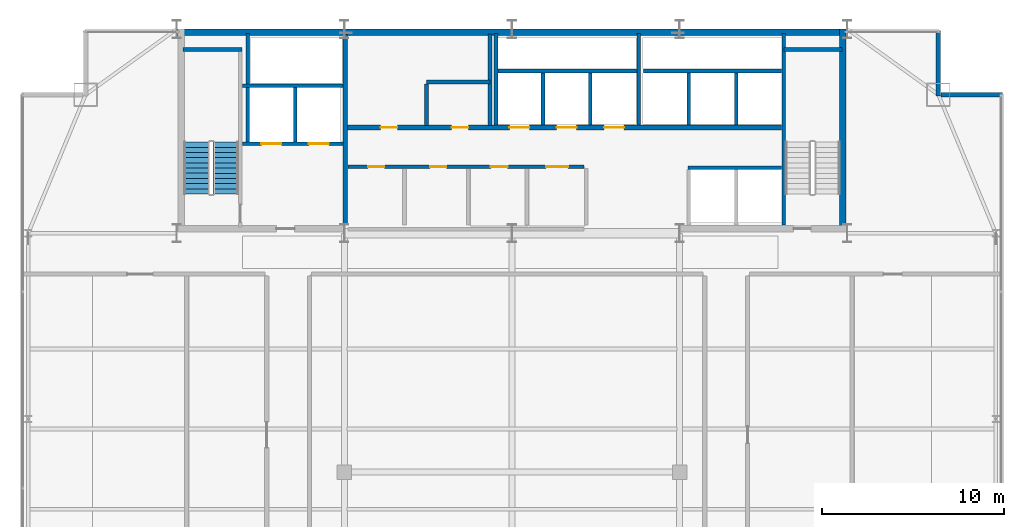
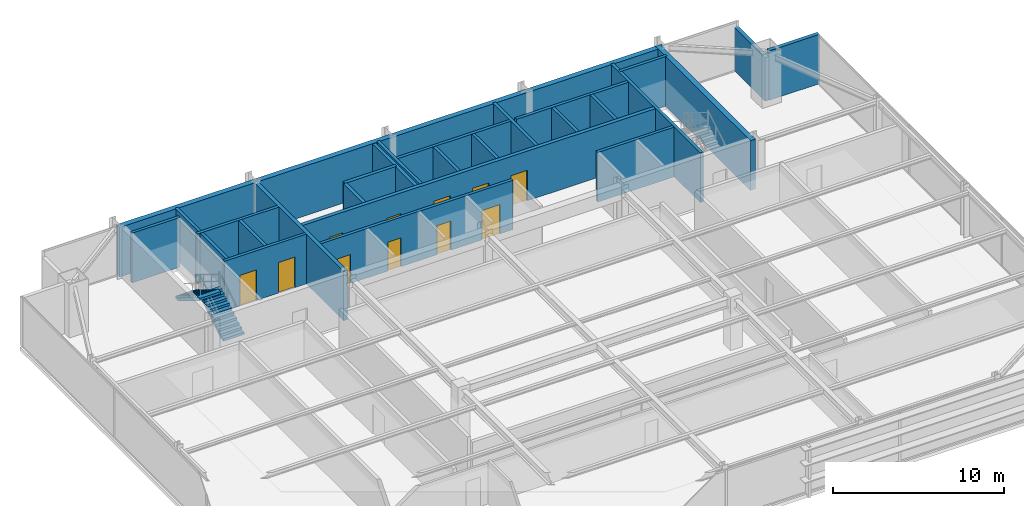
# One storey, part 26 of 29: 26 walls, 11 doors, 2 stair flights, 11 openings, 1 element without a shape of its own.
"""IFC4 building model written with IfcOpenShell, lengths in metres."""

from ifc_helpers import new_model, si_unit, direction, frame, frame_2d, origin, place, context, subcontext, project, spatial, polyline, rectangle, outline, extrude, source, transform, mapped, material, layer, layer_set, type_object, type_shapes, element, fill, aggregate, save


model = new_model("IFC4")

# Units and contexts
model_context = context("Model", 3, precision=1e-05, world=origin(), true_north=direction((0.0, 1.0)))
body_context = subcontext(model_context, "Body", "Model", "MODEL_VIEW")
ifc_project = project(units=[si_unit("LENGTHUNIT", "METRE"), si_unit("AREAUNIT", "SQUARE_METRE"), si_unit("VOLUMEUNIT", "CUBIC_METRE"), si_unit("PLANEANGLEUNIT", "RADIAN"), si_unit("MASSUNIT", "GRAM", prefix="KILO")], contexts=[model_context])

# Site, building, storey
site_placement = place(None, origin())
site = spatial("IfcSite", under=ifc_project, at=site_placement, CompositionType="ELEMENT")
building_placement = place(site_placement, origin())
building = spatial("IfcBuilding", under=site, at=building_placement, Name="Varnel Quay Broadcast Tower", CompositionType="ELEMENT")
storey_placement = place(building_placement, frame((0.0, 0.0, 172.39990234375)))
storey = spatial("IfcBuildingStorey", under=building, at=storey_placement, Name="L42", CompositionType="ELEMENT", Elevation=172.39990234375)

# Wall
ifc_material_1 = material(Name="Concrete CSA A23.3 C50/60", Category="concrete")
ifc_layer_1 = layer(ifc_material_1, 0.199951171875, Name="Concrete CSA A23.3 C50/60")
ifc_layer_set_1 = layer_set([ifc_layer_1], Name="Concrete CSA A23.3 C50/60")
wall_type_1 = type_object("IfcWallType", Name="Wall_CoreShaftShear200", PredefinedType="SHEAR", material=ifc_layer_set_1)
wall_1_placement = place(storey_placement, frame((15.949951171875, 45.679931640625, 0.0), z_axis=(0.0, 0.0, 1.0), x_axis=(1.0, 0.0, 0.0)))
element("IfcWall", 1, at=wall_1_placement, inside=storey, type_object=wall_type_1, Name="L42 Stair 1 North Structural Wall", PredefinedType="SHEAR", context=body_context, shape_type="SweptSolid", body=[
    extrude(rectangle(XDim=3.22998046875, YDim=0.199951171875, at=frame_2d((1.614990234375, 0.0))), origin(), (0.0, 0.0, 1.0), 3.550048828125),
])

# Wall, openings, doors
wall_2_placement = place(storey_placement, frame((19.199951171875, 40.5, 0.0), z_axis=(0.0, 0.0, 1.0), x_axis=(1.0, 0.0, 0.0)))
wall_2 = element("IfcWall", 2, at=wall_2_placement, inside=storey, type_object=wall_type_1, Name="L42 Firefighter Lift Shaft Front Wall", PredefinedType="SHEAR", context=body_context, shape_type="SweptSolid", body=[
    extrude(rectangle(XDim=5.52001953125, YDim=0.199951171875, at=frame_2d((2.760009765625, 0.0))), origin(), (0.0, 0.0, 1.0), 3.550048828125),
])
opening_1_placement = place(wall_2_placement, frame((1.050048828125, 0.0, 0.0)))
opening_1 = element("IfcOpeningElement", 3, at=opening_1_placement, cuts=wall_2, Name="Opening LD-L42-FE1", PredefinedType="OPENING", context=body_context, shape_type="SweptSolid", body=[
    extrude(rectangle(XDim=1.10009765625, YDim=2.179931640625, at=frame_2d((0.550048828125, 1.08984375))), frame((0.0, 0.10986328125, 0.0), z_axis=(0.0, -1.0, 0.0), x_axis=(1.0, 0.0, 0.0)), (0.0, 0.0, 1.0), 0.219970703125),
])
opening_2_placement = place(wall_2_placement, frame((3.64990234375, 0.0, 0.0)))
opening_2 = element("IfcOpeningElement", 4, at=opening_2_placement, cuts=wall_2, Name="Opening LD-L42-FE2", PredefinedType="OPENING", context=body_context, shape_type="SweptSolid", body=[
    extrude(rectangle(XDim=1.10009765625, YDim=2.179931640625, at=frame_2d((0.550048828125, 1.08984375))), frame((0.0, 0.10986328125, 0.0), z_axis=(0.0, -1.0, 0.0), x_axis=(1.0, 0.0, 0.0)), (0.0, 0.0, 1.0), 0.219970703125),
])
ifc_material_2 = material(Name="Brushed Bronze-Stainless Lift Car & Sliding Doors", Category="steel")
door_type_1 = type_object("IfcDoorType", Name="Door_LiftLanding1100", OperationType="SLIDING_TO_LEFT", PredefinedType="DOOR", material=ifc_material_2)
shared_shape_1 = source(origin(), body_context, "Body", "SweptSolid", [
    extrude(rectangle(XDim=1.10009765625, YDim=2.179931640625, at=frame_2d((0.550048828125, 1.08984375))), frame((0.0, 0.02490234375, 0.0), z_axis=(0.0, -1.0, 0.0), x_axis=(1.0, 0.0, 0.0)), (0.0, 0.0, 1.0), 0.050048828125),
])
type_shapes(door_type_1, [shared_shape_1])
door_1_placement = place(opening_1_placement, frame((1.10009765625, 0.0, 0.0), z_axis=(0.0, 0.0, 1.0), x_axis=(-1.0, 0.0, 0.0)))
door_1 = element("IfcDoor", 5, at=door_1_placement, inside=storey, type_object=door_type_1, Name="L42 Firefighter Lift FE-01 Landing Door", OperationType="SLIDING_TO_LEFT", OverallHeight=2.179931640625, OverallWidth=1.10009765625, PredefinedType="DOOR", context=body_context, shape_type="MappedRepresentation", body=[
    mapped(shared_shape_1, transform((0.0, 0.0, 0.0), x_axis=(1.0, 0.0, 0.0), y_axis=(0.0, 1.0, 0.0), z_axis=(0.0, 0.0, 1.0), scale=1.0)),
])
fill(opening_1, door_1)
door_2_placement = place(opening_2_placement, frame((1.10009765625, 0.0, 0.0), z_axis=(0.0, 0.0, 1.0), x_axis=(-1.0, 0.0, 0.0)))
door_2 = element("IfcDoor", 6, at=door_2_placement, inside=storey, type_object=door_type_1, Name="L42 Firefighter Lift FE-02 Landing Door", OperationType="SLIDING_TO_RIGHT", OverallHeight=2.179931640625, OverallWidth=1.10009765625, PredefinedType="DOOR", context=body_context, shape_type="MappedRepresentation", body=[
    mapped(shared_shape_1, transform((0.0, 0.0, 0.0), x_axis=(1.0, 0.0, 0.0), y_axis=(0.0, 1.0, 0.0), z_axis=(0.0, 0.0, 1.0), scale=1.0)),
])
fill(opening_2, door_2)

# Walls
wall_3_placement = place(storey_placement, frame((19.199951171875, 43.699951171875, 0.0), z_axis=(0.0, 0.0, 1.0), x_axis=(1.0, 0.0, 0.0)))
element("IfcWall", 7, at=wall_3_placement, inside=storey, type_object=wall_type_1, Name="L42 Firefighter Lift Shaft Rear Wall", PredefinedType="SHEAR", context=body_context, shape_type="SweptSolid", body=[
    extrude(rectangle(XDim=5.52001953125, YDim=0.199951171875, at=frame_2d((2.760009765625, 0.0))), origin(), (0.0, 0.0, 1.0), 3.550048828125),
])
wall_4_placement = place(storey_placement, frame((22.10009765625, 40.60009765625, 0.0), z_axis=(0.0, 0.0, 1.0), x_axis=(0.0, 1.0, 0.0)))
element("IfcWall", 8, at=wall_4_placement, inside=storey, type_object=wall_type_1, Name="L42 Firefighter Lift Shaft Divider", PredefinedType="SHEAR", context=body_context, shape_type="SweptSolid", body=[
    extrude(rectangle(XDim=3.0, YDim=0.199951171875, at=frame_2d((1.5, 0.0))), origin(), (0.0, 0.0, 1.0), 3.550048828125),
])
wall_5_placement = place(storey_placement, frame((19.5, 40.60009765625, 0.0), z_axis=(0.0, 0.0, 1.0), x_axis=(0.0, 1.0, 0.0)))
element("IfcWall", 9, at=wall_5_placement, inside=storey, type_object=wall_type_1, Name="L42 Firefighter Lift Shaft West Wall", PredefinedType="SHEAR", context=body_context, shape_type="SweptSolid", body=[
    extrude(rectangle(XDim=5.949951171875, YDim=0.199951171875, at=frame_2d((2.97509765625, 0.0))), origin(), (0.0, 0.0, 1.0), 3.550048828125),
])
wall_6_placement = place(storey_placement, frame((48.919921875, 36.050048828125, 0.0), z_axis=(0.0, 0.0, 1.0), x_axis=(0.0, 1.0, 0.0)))
element("IfcWall", 10, at=wall_6_placement, inside=storey, type_object=wall_type_1, Name="L42 Stair 2 West Structural Wall", PredefinedType="SHEAR", context=body_context, shape_type="SweptSolid", body=[
    extrude(rectangle(XDim=10.5, YDim=0.199951171875, at=frame_2d((5.25, 0.0))), origin(), (0.0, 0.0, 1.0), 3.550048828125),
])
wall_7_placement = place(storey_placement, frame((48.919921875, 45.679931640625, 0.0), z_axis=(0.0, 0.0, 1.0), x_axis=(1.0, 0.0, 0.0)))
element("IfcWall", 11, at=wall_7_placement, inside=storey, type_object=wall_type_1, Name="L42 Stair 2 North Structural Wall", PredefinedType="SHEAR", context=body_context, shape_type="SweptSolid", body=[
    extrude(rectangle(XDim=3.18017578125, YDim=0.199951171875, at=frame_2d((1.590087890625, 0.0))), origin(), (0.0, 0.0, 1.0), 3.550048828125),
])
wall_8_placement = place(storey_placement, frame((33.219970703125, 44.5, 0.0), z_axis=(0.0, 0.0, 1.0), x_axis=(1.0, 0.0, 0.0)))
element("IfcWall", 12, at=wall_8_placement, inside=storey, type_object=wall_type_1, Name="L42 Mid-Rise Lift Shaft Rear Wall", PredefinedType="SHEAR", context=body_context, shape_type="SweptSolid", body=[
    extrude(rectangle(XDim=7.630126953125, YDim=0.199951171875, at=frame_2d((3.81494140625, 0.0))), origin(), (0.0, 0.0, 1.0), 3.550048828125),
])
wall_9_placement = place(storey_placement, frame((33.1201171875, 41.530029296875, 0.0), z_axis=(0.0, 0.0, 1.0), x_axis=(0.0, 1.0, 0.0)))
element("IfcWall", 13, at=wall_9_placement, inside=storey, type_object=wall_type_1, Name="L42 Mid-Rise Lift Shaft Divider 1", PredefinedType="SHEAR", context=body_context, shape_type="SweptSolid", body=[
    extrude(rectangle(XDim=5.02001953125, YDim=0.199951171875, at=frame_2d((2.510009765625, 0.0))), origin(), (0.0, 0.0, 1.0), 3.550048828125),
])
for number, where, z_axis, x_axis, name in (
    (14, (35.699951171875, 41.530029296875, 0.0), (0.0, 0.0, 1.0), (0.0, 1.0, 0.0), "L42 Mid-Rise Lift Shaft Divider 2"),
    (15, (38.300048828125, 41.530029296875, 0.0), (0.0, 0.0, 1.0), (0.0, 1.0, 0.0), "L42 Mid-Rise Lift Shaft Divider 3"),
):
    element("IfcWall", number, at=place(storey_placement, frame(where, z_axis=z_axis, x_axis=x_axis)), inside=storey, type_object=wall_type_1, Name=name, PredefinedType="SHEAR", context=body_context, shape_type="SweptSolid", body=[
        extrude(rectangle(XDim=2.869873046875, YDim=0.199951171875, at=frame_2d((1.43505859375, 0.0))), origin(), (0.0, 0.0, 1.0), 3.550048828125),
    ])
wall_10_placement = place(storey_placement, frame((40.949951171875, 41.530029296875, 0.0), z_axis=(0.0, 0.0, 1.0), x_axis=(0.0, 1.0, 0.0)))
element("IfcWall", 16, at=wall_10_placement, inside=storey, type_object=wall_type_1, Name="L42 Mid-Rise Lift Shaft Divider 4", PredefinedType="SHEAR", context=body_context, shape_type="SweptSolid", body=[
    extrude(rectangle(XDim=5.02001953125, YDim=0.199951171875, at=frame_2d((2.510009765625, 0.0))), origin(), (0.0, 0.0, 1.0), 3.550048828125),
])
wall_11_placement = place(storey_placement, frame((41.219970703125, 44.5, 0.0), z_axis=(0.0, 0.0, 1.0), x_axis=(1.0, 0.0, 0.0)))
element("IfcWall", 17, at=wall_11_placement, inside=storey, type_object=wall_type_1, Name="L42 High-Rise Lift Shaft Rear Wall", PredefinedType="SHEAR", context=body_context, shape_type="SweptSolid", body=[
    extrude(rectangle(XDim=7.580078125, YDim=0.199951171875, at=frame_2d((3.7900390625, 0.0))), origin(), (0.0, 0.0, 1.0), 3.550048828125),
])
for number, where, z_axis, x_axis, name in (
    (18, (43.699951171875, 41.530029296875, 0.0), (0.0, 0.0, 1.0), (0.0, 1.0, 0.0), "L42 High-Rise Lift Shaft Divider 2"),
    (19, (46.300048828125, 41.530029296875, 0.0), (0.0, 0.0, 1.0), (0.0, 1.0, 0.0), "L42 High-Rise Lift Shaft Divider 3"),
):
    element("IfcWall", number, at=place(storey_placement, frame(where, z_axis=z_axis, x_axis=x_axis)), inside=storey, type_object=wall_type_1, Name=name, PredefinedType="SHEAR", context=body_context, shape_type="SweptSolid", body=[
        extrude(rectangle(XDim=2.869873046875, YDim=0.199951171875, at=frame_2d((1.43505859375, 0.0))), origin(), (0.0, 0.0, 1.0), 3.550048828125),
    ])
wall_12_placement = place(storey_placement, frame((43.64990234375, 39.199951171875, 0.0), z_axis=(0.0, 0.0, 1.0), x_axis=(1.0, 0.0, 0.0)))
element("IfcWall", 20, at=wall_12_placement, inside=storey, type_object=wall_type_1, Name="L42 Express Lift Shaft North Front Wall", PredefinedType="SHEAR", context=body_context, shape_type="SweptSolid", body=[
    extrude(rectangle(XDim=5.150146484375, YDim=0.199951171875, at=frame_2d((2.5751953125, 0.0))), origin(), (0.0, 0.0, 1.0), 3.550048828125),
])
ifc_layer_2 = layer(ifc_material_1, 0.25, Name="Concrete CSA A23.3 C50/60")
ifc_layer_set_2 = layer_set([ifc_layer_2], Name="Concrete CSA A23.3 C50/60")
wall_type_2 = type_object("IfcWallType", Name="Wall_CoreShaftShear250", PredefinedType="SHEAR", material=ifc_layer_set_2)
wall_13_placement = place(storey_placement, frame((24.85009765625, 36.050048828125, 0.0), z_axis=(0.0, 0.0, 1.0), x_axis=(0.0, 1.0, 0.0)))
element("IfcWall", 21, at=wall_13_placement, inside=storey, type_object=wall_type_2, Name="L42 Firefighting Lobby East Structural Wall", PredefinedType="SHEAR", context=body_context, shape_type="SweptSolid", body=[
    extrude(rectangle(XDim=10.449951171875, YDim=0.25, at=frame_2d((5.22509765625, 0.0))), origin(), (0.0, 0.0, 1.0), 3.550048828125),
])

# Wall, openings, doors
wall_14_placement = place(storey_placement, frame((24.97998046875, 41.39990234375, 0.0), z_axis=(0.0, 0.0, 1.0), x_axis=(1.0, 0.0, 0.0)))
wall_14 = element("IfcWall", 22, at=wall_14_placement, inside=storey, type_object=wall_type_2, Name="L42 North Lift Bank & Reclaimed Suite Wall", PredefinedType="SHEAR", context=body_context, shape_type="SweptSolid", body=[
    extrude(rectangle(XDim=23.820068359375, YDim=0.25, at=frame_2d((11.91015625, 0.0))), origin(), (0.0, 0.0, 1.0), 3.550048828125),
])
opening_3_placement = place(wall_14_placement, frame((8.8701171875, 0.0, 0.0)))
opening_3 = element("IfcOpeningElement", 23, at=opening_3_placement, cuts=wall_14, Name="Opening LD-L42-PM-01", PredefinedType="OPENING", context=body_context, shape_type="SweptSolid", body=[
    extrude(rectangle(XDim=1.10009765625, YDim=2.179931640625, at=frame_2d((0.550048828125, 1.08984375))), frame((0.0, 0.135009765625, 0.0), z_axis=(0.0, -1.0, 0.0), x_axis=(1.0, 0.0, 0.0)), (0.0, 0.0, 1.0), 0.27001953125),
])
opening_4_placement = place(wall_14_placement, frame((11.469970703125, 0.0, 0.0)))
opening_4 = element("IfcOpeningElement", 24, at=opening_4_placement, cuts=wall_14, Name="Opening LD-L42-PM-02", PredefinedType="OPENING", context=body_context, shape_type="SweptSolid", body=[
    extrude(rectangle(XDim=1.10009765625, YDim=2.179931640625, at=frame_2d((0.550048828125, 1.08984375))), frame((0.0, 0.135009765625, 0.0), z_axis=(0.0, -1.0, 0.0), x_axis=(1.0, 0.0, 0.0)), (0.0, 0.0, 1.0), 0.27001953125),
])
opening_5_placement = place(wall_14_placement, frame((14.070068359375, 0.0, 0.0)))
opening_5 = element("IfcOpeningElement", 25, at=opening_5_placement, cuts=wall_14, Name="Opening LD-L42-PM-03", PredefinedType="OPENING", context=body_context, shape_type="SweptSolid", body=[
    extrude(rectangle(XDim=1.10009765625, YDim=2.179931640625, at=frame_2d((0.550048828125, 1.08984375))), frame((0.0, 0.135009765625, 0.0), z_axis=(0.0, -1.0, 0.0), x_axis=(1.0, 0.0, 0.0)), (0.0, 0.0, 1.0), 0.27001953125),
])
opening_6_placement = place(wall_14_placement, frame((1.81005859375, 0.0, 0.0)))
opening_6 = element("IfcOpeningElement", 26, at=opening_6_placement, cuts=wall_14, Name="Opening D-L42-RECA1", PredefinedType="OPENING", context=body_context, shape_type="SweptSolid", body=[
    extrude(rectangle(XDim=0.919921875, YDim=2.080078125, at=frame_2d((0.4599609375, 1.0400390625))), frame((0.0, 0.135009765625, 0.0), z_axis=(0.0, -1.0, 0.0), x_axis=(1.0, 0.0, 0.0)), (0.0, 0.0, 1.0), 0.27001953125),
])
opening_7_placement = place(wall_14_placement, frame((5.7099609375, 0.0, 0.0)))
opening_7 = element("IfcOpeningElement", 27, at=opening_7_placement, cuts=wall_14, Name="Opening D-L42-RECA2", PredefinedType="OPENING", context=body_context, shape_type="SweptSolid", body=[
    extrude(rectangle(XDim=0.919921875, YDim=2.080078125, at=frame_2d((0.4599609375, 1.0400390625))), frame((0.0, 0.135009765625, 0.0), z_axis=(0.0, -1.0, 0.0), x_axis=(1.0, 0.0, 0.0)), (0.0, 0.0, 1.0), 0.27001953125),
])
door_3_placement = place(opening_3_placement, frame((1.10009765625, 0.0, 0.0), z_axis=(0.0, 0.0, 1.0), x_axis=(-1.0, 0.0, 0.0)))
door_3 = element("IfcDoor", 28, at=door_3_placement, inside=storey, type_object=door_type_1, Name="L42 Lift PM-01 Landing Door", OperationType="SLIDING_TO_LEFT", OverallHeight=2.179931640625, OverallWidth=1.10009765625, PredefinedType="DOOR", context=body_context, shape_type="MappedRepresentation", body=[
    mapped(shared_shape_1, transform((0.0, 0.0, 0.0), x_axis=(1.0, 0.0, 0.0), y_axis=(0.0, 1.0, 0.0), z_axis=(0.0, 0.0, 1.0), scale=1.0)),
])
fill(opening_3, door_3)
door_4_placement = place(opening_4_placement, frame((1.10009765625, 0.0, 0.0), z_axis=(0.0, 0.0, 1.0), x_axis=(-1.0, 0.0, 0.0)))
door_4 = element("IfcDoor", 29, at=door_4_placement, inside=storey, type_object=door_type_1, Name="L42 Lift PM-02 Landing Door", OperationType="SLIDING_TO_LEFT", OverallHeight=2.179931640625, OverallWidth=1.10009765625, PredefinedType="DOOR", context=body_context, shape_type="MappedRepresentation", body=[
    mapped(shared_shape_1, transform((0.0, 0.0, 0.0), x_axis=(1.0, 0.0, 0.0), y_axis=(0.0, 1.0, 0.0), z_axis=(0.0, 0.0, 1.0), scale=1.0)),
])
fill(opening_4, door_4)
door_5_placement = place(opening_5_placement, frame((1.10009765625, 0.0, 0.0), z_axis=(0.0, 0.0, 1.0), x_axis=(-1.0, 0.0, 0.0)))
door_5 = element("IfcDoor", 30, at=door_5_placement, inside=storey, type_object=door_type_1, Name="L42 Lift PM-03 Landing Door", OperationType="SLIDING_TO_LEFT", OverallHeight=2.179931640625, OverallWidth=1.10009765625, PredefinedType="DOOR", context=body_context, shape_type="MappedRepresentation", body=[
    mapped(shared_shape_1, transform((0.0, 0.0, 0.0), x_axis=(1.0, 0.0, 0.0), y_axis=(0.0, 1.0, 0.0), z_axis=(0.0, 0.0, 1.0), scale=1.0)),
])
fill(opening_5, door_5)
ifc_material_3 = material(Name="Solid-Core Fire-Rated Acoustic Oak Veneer Door", Category="wood")
door_type_2 = type_object("IfcDoorType", Name="Door_Office920", OperationType="NOTDEFINED", PredefinedType="DOOR", material=ifc_material_3)
shared_shape_2 = source(origin(), body_context, "Body", "SweptSolid", [
    extrude(rectangle(XDim=0.919921875, YDim=2.080078125, at=frame_2d((0.4599609375, 1.0400390625))), frame((0.0, 0.02490234375, 0.0), z_axis=(0.0, -1.0, 0.0), x_axis=(1.0, 0.0, 0.0)), (0.0, 0.0, 1.0), 0.050048828125),
])
type_shapes(door_type_2, [shared_shape_2])
door_6_placement = place(opening_6_placement, origin())
door_6 = element("IfcDoor", 31, at=door_6_placement, inside=storey, type_object=door_type_2, Name="L42 Signal Routing Suite Door", OperationType="SINGLE_SWING_LEFT", OverallHeight=2.080078125, OverallWidth=0.919921875, PredefinedType="DOOR", context=body_context, shape_type="MappedRepresentation", body=[
    mapped(shared_shape_2, transform((0.0, 0.0, 0.0), x_axis=(1.0, 0.0, 0.0), y_axis=(0.0, 1.0, 0.0), z_axis=(0.0, 0.0, 1.0), scale=1.0)),
])
fill(opening_6, door_6)
door_7_placement = place(opening_7_placement, origin())
door_7 = element("IfcDoor", 32, at=door_7_placement, inside=storey, type_object=door_type_2, Name="L42 Archive Media Store Door", OperationType="SINGLE_SWING_RIGHT", OverallHeight=2.080078125, OverallWidth=0.919921875, PredefinedType="DOOR", context=body_context, shape_type="MappedRepresentation", body=[
    mapped(shared_shape_2, transform((0.0, 0.0, 0.0), x_axis=(1.0, 0.0, 0.0), y_axis=(0.0, 1.0, 0.0), z_axis=(0.0, 0.0, 1.0), scale=1.0)),
])
fill(opening_7, door_7)

# Walls
ifc_layer_3 = layer(ifc_material_1, 0.35009765625, Name="Concrete CSA A23.3 C50/60")
ifc_layer_set_3 = layer_set([ifc_layer_3], Name="Concrete CSA A23.3 C50/60")
wall_type_3 = type_object("IfcWallType", Name="Wall_CoreShearExt350", PredefinedType="SHEAR", material=ifc_layer_set_3)
wall_15_placement = place(storey_placement, frame((15.60009765625, 46.625, 0.0), z_axis=(0.0, 0.0, 1.0), x_axis=(1.0, 0.0, 0.0)))
element("IfcWall", 33, at=wall_15_placement, inside=storey, type_object=wall_type_3, Name="L42 North Core Shear Wall", PredefinedType="SHEAR", context=body_context, shape_type="SweptSolid", body=[
    extrude(rectangle(XDim=36.7998046875, YDim=0.35009765625, at=frame_2d((18.39990234375, 0.0))), origin(), (0.0, 0.0, 1.0), 3.550048828125),
])
ifc_layer_4 = layer(ifc_material_1, 0.35009765625, Name="Concrete CSA A23.3 C50/60")
ifc_layer_set_4 = layer_set([ifc_layer_4], Name="Concrete CSA A23.3 C50/60")
wall_type_4 = type_object("IfcWallType", Name="Wall_CoreShearInt350", PredefinedType="SHEAR", material=ifc_layer_set_4)
wall_16_placement = place(storey_placement, frame((52.155029296875, 35.669921875, 0.0), z_axis=(0.0, 0.0, 1.0), x_axis=(0.0, 1.0, 0.0)))
element("IfcWall", 34, at=wall_16_placement, inside=storey, type_object=wall_type_4, Name="L42 East Core Shear Wall", PredefinedType="SHEAR", context=body_context, shape_type="SweptSolid", body=[
    extrude(rectangle(XDim=11.130126953125, YDim=0.35009765625, at=frame_2d((5.56494140625, 0.0))), origin(), (0.0, 0.0, 1.0), 3.550048828125),
])
ifc_material_4 = material(Name="Precast Architectural Concrete C40/50", Category="concrete")
ifc_layer_5 = layer(ifc_material_4, 0.25, Name="Precast Architectural Concrete C40/50")
ifc_layer_set_5 = layer_set([ifc_layer_5], Name="Precast Architectural Concrete C40/50")
wall_type_5 = type_object("IfcWallType", Name="Wall_ExtTerrace250", PredefinedType="SOLIDWALL", material=ifc_layer_set_5)
wall_17_placement = place(storey_placement, frame((57.530029296875, 43.199951171875, 0.0), z_axis=(0.0, 0.0, 1.0), x_axis=(1.0, 0.0, 0.0)))
element("IfcWall", 35, at=wall_17_placement, inside=storey, type_object=wall_type_5, Name="L42 Mega-Column Notch Cladding Wall NNE1", PredefinedType="SOLIDWALL", context=body_context, shape_type="SweptSolid", body=[
    extrude(rectangle(XDim=3.389892578125, YDim=0.25, at=frame_2d((1.69482421875, 0.0))), origin(), (0.0, 0.0, 1.0), 3.530029296875),
])
wall_18_placement = place(storey_placement, frame((57.39990234375, 43.1201171875, 0.0), z_axis=(0.0, 0.0, 1.0), x_axis=(0.0, 1.0, 0.0)))
element("IfcWall", 36, at=wall_18_placement, inside=storey, type_object=wall_type_5, Name="L42 Mega-Column Notch Cladding Wall NNE2", PredefinedType="SOLIDWALL", context=body_context, shape_type="SweptSolid", body=[
    extrude(rectangle(XDim=3.599853515625, YDim=0.25, at=frame_2d((1.7998046875, 0.0))), origin(), (0.0, 0.0, 1.0), 3.108154296875),
])

# Wall, openings, doors
ifc_material_5 = material(Name="Concrete Blockwork Fire Enclosure C40/50", Category="masonry")
ifc_layer_6 = layer(ifc_material_5, 0.199951171875, Name="Concrete Blockwork Fire Enclosure C40/50")
ifc_layer_set_6 = layer_set([ifc_layer_6], Name="Concrete Blockwork Fire Enclosure C40/50")
wall_type_6 = type_object("IfcWallType", Name="Wall_FireShaft200", PredefinedType="SOLIDWALL", material=ifc_layer_set_6)
wall_19_placement = place(storey_placement, frame((25.0, 39.25, 0.0), z_axis=(0.0, 0.0, 1.0), x_axis=(1.0, 0.0, 0.0)))
wall_19 = element("IfcWall", 37, at=wall_19_placement, inside=storey, type_object=wall_type_6, Name="L42 Accessible Universal Washroom Partition 3", PredefinedType="SOLIDWALL", context=body_context, shape_type="SweptSolid", body=[
    extrude(rectangle(XDim=12.949951171875, YDim=0.199951171875, at=frame_2d((6.47509765625, 0.0))), origin(), (0.0, 0.0, 1.0), 3.530029296875),
])
opening_8_placement = place(wall_19_placement, frame((1.10009765625, 0.0, 0.0)))
opening_8 = element("IfcOpeningElement", 38, at=opening_8_placement, cuts=wall_19, Name="Opening D-L42-01", PredefinedType="OPENING", context=body_context, shape_type="SweptSolid", body=[
    extrude(rectangle(XDim=0.89990234375, YDim=2.06005859375, at=frame_2d((0.449951171875, 1.030029296875))), frame((0.0, 0.10986328125, 0.0), z_axis=(0.0, -1.0, 0.0), x_axis=(1.0, 0.0, 0.0)), (0.0, 0.0, 1.0), 0.219970703125),
])
opening_9_placement = place(wall_19_placement, frame((4.5, 0.0, 0.0)))
opening_9 = element("IfcOpeningElement", 39, at=opening_9_placement, cuts=wall_19, Name="Opening D-L42-02", PredefinedType="OPENING", context=body_context, shape_type="SweptSolid", body=[
    extrude(rectangle(XDim=0.89990234375, YDim=2.06005859375, at=frame_2d((0.449951171875, 1.030029296875))), frame((0.0, 0.10986328125, 0.0), z_axis=(0.0, -1.0, 0.0), x_axis=(1.0, 0.0, 0.0)), (0.0, 0.0, 1.0), 0.219970703125),
])
opening_10_placement = place(wall_19_placement, frame((7.840087890625, 0.0, 0.0)))
opening_10 = element("IfcOpeningElement", 40, at=opening_10_placement, cuts=wall_19, Name="Opening D-L42-03", PredefinedType="OPENING", context=body_context, shape_type="SweptSolid", body=[
    extrude(rectangle(XDim=0.919921875, YDim=2.080078125, at=frame_2d((0.4599609375, 1.0400390625))), frame((0.0, 0.10986328125, 0.0), z_axis=(0.0, -1.0, 0.0), x_axis=(1.0, 0.0, 0.0)), (0.0, 0.0, 1.0), 0.219970703125),
])
opening_11_placement = place(wall_19_placement, frame((10.875, 0.0, 0.0)))
opening_11 = element("IfcOpeningElement", 41, at=opening_11_placement, cuts=wall_19, Name="Opening D-L42-04", PredefinedType="OPENING", context=body_context, shape_type="SweptSolid", body=[
    extrude(rectangle(XDim=1.199951171875, YDim=2.10009765625, at=frame_2d((0.60009765625, 1.050048828125))), frame((0.0, 0.10986328125, 0.0), z_axis=(0.0, -1.0, 0.0), x_axis=(1.0, 0.0, 0.0)), (0.0, 0.0, 1.0), 0.219970703125),
])
door_type_3 = type_object("IfcDoorType", Name="Door_Washroom900", OperationType="NOTDEFINED", PredefinedType="DOOR", material=ifc_material_3)
shared_shape_3 = source(origin(), body_context, "Body", "SweptSolid", [
    extrude(rectangle(XDim=0.89990234375, YDim=2.06005859375, at=frame_2d((0.449951171875, 1.030029296875))), frame((0.0, 0.02490234375, 0.0), z_axis=(0.0, -1.0, 0.0), x_axis=(1.0, 0.0, 0.0)), (0.0, 0.0, 1.0), 0.050048828125),
])
type_shapes(door_type_3, [shared_shape_3])
door_8_placement = place(opening_8_placement, frame((0.89990234375, 0.0, 0.0), z_axis=(0.0, 0.0, 1.0), x_axis=(-1.0, 0.0, 0.0)))
door_8 = element("IfcDoor", 42, at=door_8_placement, inside=storey, type_object=door_type_3, Name="L42 Accessible Universal Washroom Door D-L42-01", OperationType="SINGLE_SWING_LEFT", OverallHeight=2.06005859375, OverallWidth=0.89990234375, PredefinedType="DOOR", context=body_context, shape_type="MappedRepresentation", body=[
    mapped(shared_shape_3, transform((0.0, 0.0, 0.0), x_axis=(1.0, 0.0, 0.0), y_axis=(0.0, 1.0, 0.0), z_axis=(0.0, 0.0, 1.0), scale=1.0)),
])
fill(opening_8, door_8)
door_9_placement = place(opening_9_placement, frame((0.89990234375, 0.0, 0.0), z_axis=(0.0, 0.0, 1.0), x_axis=(-1.0, 0.0, 0.0)))
door_9 = element("IfcDoor", 43, at=door_9_placement, inside=storey, type_object=door_type_3, Name="L42 Staff Washroom Block Door D-L42-02", OperationType="SINGLE_SWING_RIGHT", OverallHeight=2.06005859375, OverallWidth=0.89990234375, PredefinedType="DOOR", context=body_context, shape_type="MappedRepresentation", body=[
    mapped(shared_shape_3, transform((0.0, 0.0, 0.0), x_axis=(1.0, 0.0, 0.0), y_axis=(0.0, 1.0, 0.0), z_axis=(0.0, 0.0, 1.0), scale=1.0)),
])
fill(opening_9, door_9)
ifc_material_6 = material(Name="Insulated Fire-Rated Hollow Steel Door", Category="steel")
door_type_4 = type_object("IfcDoorType", Name="Door_Plant1200", OperationType="NOTDEFINED", PredefinedType="DOOR", material=ifc_material_6)
shared_shape_4 = source(origin(), body_context, "Body", "SweptSolid", [
    extrude(rectangle(XDim=1.199951171875, YDim=2.10009765625, at=frame_2d((0.60009765625, 1.050048828125))), frame((0.0, 0.02490234375, 0.0), z_axis=(0.0, -1.0, 0.0), x_axis=(1.0, 0.0, 0.0)), (0.0, 0.0, 1.0), 0.050048828125),
])
type_shapes(door_type_4, [shared_shape_4])
door_10_placement = place(opening_11_placement, origin())
door_10 = element("IfcDoor", 44, at=door_10_placement, inside=storey, type_object=door_type_4, Name="L42 Zone Lighting Dimmer Room Door D-L42-04", OperationType="SINGLE_SWING_RIGHT", OverallHeight=2.10009765625, OverallWidth=1.199951171875, PredefinedType="DOOR", context=body_context, shape_type="MappedRepresentation", body=[
    mapped(shared_shape_4, transform((0.0, 0.0, 0.0), x_axis=(1.0, 0.0, 0.0), y_axis=(0.0, 1.0, 0.0), z_axis=(0.0, 0.0, 1.0), scale=1.0)),
])
fill(opening_11, door_10)
door_11_placement = place(opening_10_placement, frame((0.919921875, 0.0, 0.0), z_axis=(0.0, 0.0, 1.0), x_axis=(-1.0, 0.0, 0.0)))
door_11 = element("IfcDoor", 45, at=door_11_placement, inside=storey, type_object=door_type_2, Name="L42 Broadcast First-Aid & Quiet Room Door D-L42-03", OperationType="SINGLE_SWING_LEFT", OverallHeight=2.080078125, OverallWidth=0.919921875, PredefinedType="DOOR", context=body_context, shape_type="MappedRepresentation", body=[
    mapped(shared_shape_2, transform((0.0, 0.0, 0.0), x_axis=(1.0, 0.0, 0.0), y_axis=(0.0, 1.0, 0.0), z_axis=(0.0, 0.0, 1.0), scale=1.0)),
])
fill(opening_10, door_11)

# Walls
ifc_material_7 = material(Name="Steel-Stud Fire-Rated Acoustic Gypsum Partition Assembly", Category="steel")
ifc_layer_7 = layer(ifc_material_7, 0.22509765625, Name="Steel-Stud Fire-Rated Acoustic Gypsum Partition Assembly")
ifc_layer_set_7 = layer_set([ifc_layer_7], Name="Steel-Stud Fire-Rated Acoustic Gypsum Partition Assembly")
wall_type_7 = type_object("IfcWallType", Name="Wall_Partition225", PredefinedType="PARTITIONING", material=ifc_layer_set_7)
wall_20_placement = place(storey_placement, frame((29.300048828125, 41.5, 0.0), z_axis=(0.0, 0.0, 1.0), x_axis=(0.0, 1.0, 0.0)))
element("IfcWall", 46, at=wall_20_placement, inside=storey, type_object=wall_type_7, Name="L42 Signal Routing Suite Partition 20", PredefinedType="PARTITIONING", context=body_context, shape_type="SweptSolid", body=[
    extrude(rectangle(XDim=2.2880859375, YDim=0.22509765625, at=frame_2d((1.14404296875, 0.0))), origin(), (0.0, 0.0, 1.0), 3.530029296875),
])
wall_21_placement = place(storey_placement, frame((29.300048828125, 43.89990234375, 0.0), z_axis=(0.0, 0.0, 1.0), x_axis=(1.0, 0.0, 0.0)))
element("IfcWall", 47, at=wall_21_placement, inside=storey, type_object=wall_type_7, Name="L42 Signal Routing Suite Partition 21", PredefinedType="PARTITIONING", context=body_context, shape_type="SweptSolid", body=[
    extrude(rectangle(XDim=3.5, YDim=0.22509765625, at=frame_2d((1.75, 0.0))), origin(), (0.0, 0.0, 1.0), 3.530029296875),
])
wall_22_placement = place(storey_placement, frame((32.800048828125, 41.5, 0.0), z_axis=(0.0, 0.0, 1.0), x_axis=(0.0, 1.0, 0.0)))
element("IfcWall", 48, at=wall_22_placement, inside=storey, type_object=wall_type_7, Name="L42 Signal Routing Suite Partition 22", PredefinedType="PARTITIONING", context=body_context, shape_type="SweptSolid", body=[
    extrude(rectangle(XDim=5.02001953125, YDim=0.22509765625, at=frame_2d((2.510009765625, 0.0))), origin(), (0.0, 0.0, 1.0), 3.530029296875),
])

# Stair, stair flights
ifc_material_8 = material(Name="Precast Structural Concrete C40/50", Category="concrete")
stair_type = type_object("IfcStairType", Name="Stair_ST-01", PredefinedType="HALF_TURN_STAIR", material=ifc_material_8)
stair_placement = place(storey_placement, origin())
stair = element("IfcStair", 49, at=stair_placement, inside=storey, type_object=stair_type, Name="L42 West Core Exit Stair 1", PredefinedType="HALF_TURN_STAIR")
stair_flight_type = type_object("IfcStairFlightType", Name="Flight_ST-01", PredefinedType="STRAIGHT", material=ifc_material_8)
stair_flight_1_placement = place(storey_placement, frame((18.300048828125, 37.75, 0.0), z_axis=(0.0, 0.0, 1.0), x_axis=(0.0, 1.0, 0.0)))
stair_flight_1 = element("IfcStairFlight", 50, at=stair_flight_1_placement, type_object=stair_flight_type, Name="ST-01 flight 1", NumberOfRisers=11, NumberOfTreads=10, PredefinedType="STRAIGHT", RiserHeight=0.172727273, TreadLength=0.285, context=body_context, shape_type="SweptSolid", body=[
    extrude(outline(polyline([(0.0, 0.0), (0.0, 0.172607421875), (0.284912109375, 0.172607421875), (0.284912109375, 0.345458984375), (0.570068359375, 0.345458984375), (0.570068359375, 0.51806640625), (0.85498046875, 0.51806640625), (0.85498046875, 0.69091796875), (1.139892578125, 0.69091796875), (1.139892578125, 0.863525390625), (1.425048828125, 0.863525390625), (1.425048828125, 1.036376953125), (1.7099609375, 1.036376953125), (1.7099609375, 1.208984375), (1.9951171875, 1.208984375), (1.9951171875, 1.3818359375), (2.280029296875, 1.3818359375), (2.280029296875, 1.554443359375), (2.56494140625, 1.554443359375), (2.56494140625, 1.727294921875), (2.85009765625, 1.727294921875), (2.85009765625, 1.89990234375), (2.85009765625, 1.552001953125), (0.289306640625, 0.0), (0.0, 0.0)])), frame((0.0, 0.699951171875, 0.0), z_axis=(0.0, -1.0, 0.0), x_axis=(1.0, 0.0, 0.0)), (0.0, 0.0, 1.0), 1.39990234375),
])
stair_flight_2_placement = place(storey_placement, frame((16.699951171875, 40.60009765625, 1.900146484375), z_axis=(0.0, 0.0, 1.0), x_axis=(0.0, -1.0, 0.0)))
stair_flight_2 = element("IfcStairFlight", 51, at=stair_flight_2_placement, type_object=stair_flight_type, Name="ST-01 flight 2", NumberOfRisers=11, NumberOfTreads=10, PredefinedType="STRAIGHT", RiserHeight=0.172727273, TreadLength=0.285, context=body_context, shape_type="SweptSolid", body=[
    extrude(outline(polyline([(0.0, 0.0), (0.0, 0.172607421875), (0.284912109375, 0.172607421875), (0.284912109375, 0.345458984375), (0.570068359375, 0.345458984375), (0.570068359375, 0.51806640625), (0.85498046875, 0.51806640625), (0.85498046875, 0.69091796875), (1.139892578125, 0.69091796875), (1.139892578125, 0.863525390625), (1.425048828125, 0.863525390625), (1.425048828125, 1.036376953125), (1.7099609375, 1.036376953125), (1.7099609375, 1.208984375), (1.9951171875, 1.208984375), (1.9951171875, 1.3818359375), (2.280029296875, 1.3818359375), (2.280029296875, 1.554443359375), (2.56494140625, 1.554443359375), (2.56494140625, 1.727294921875), (2.85009765625, 1.727294921875), (2.85009765625, 1.89990234375), (2.85009765625, 1.552001953125), (0.289306640625, 0.0), (0.0, 0.0)])), frame((0.0, 0.699951171875, 0.0), z_axis=(0.0, -1.0, 0.0), x_axis=(1.0, 0.0, 0.0)), (0.0, 0.0, 1.0), 1.39990234375),
])
aggregate(stair, [stair_flight_1, stair_flight_2])

save(model, "model.ifc")
